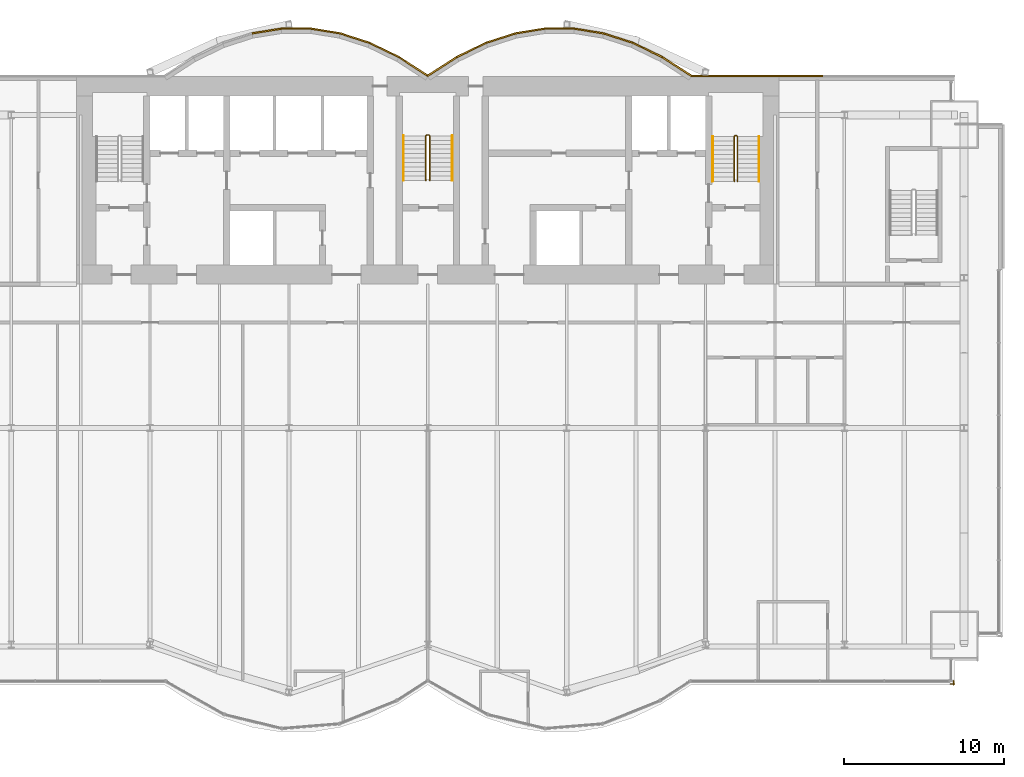
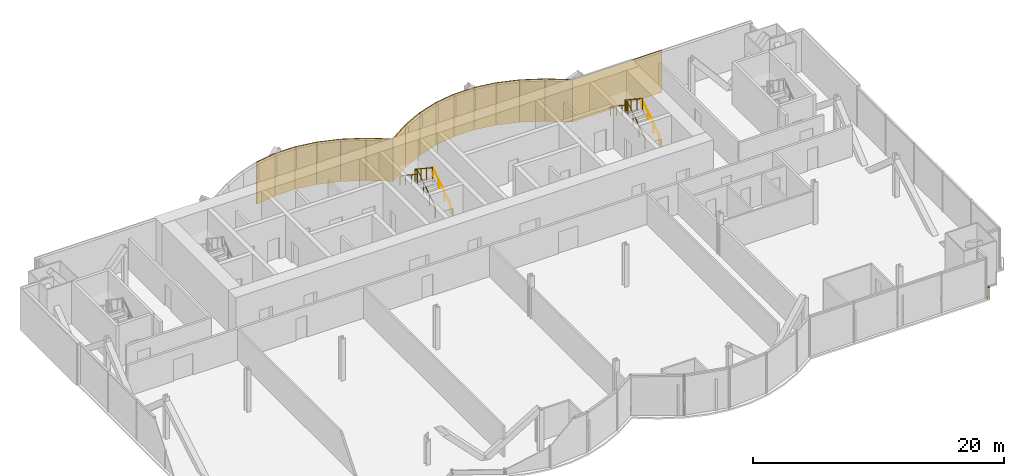
# One storey, part 20 of 21: 16 coverings, 7 railings.
"""IFC4 building model written with IfcOpenShell, lengths in metres."""

from ifc_helpers import new_model, si_unit, direction, frame, origin, origin_2d, place, context, subcontext, project, spatial, rectangle, circle, extrude, material, layer, layer_set, type_object, element, save


model = new_model("IFC4")

# Units and contexts
model_context = context("Model", 3, precision=1e-05, world=origin(), true_north=direction((0.0, 1.0)))
body_context = subcontext(model_context, "Body", "Model", "MODEL_VIEW")
ifc_project = project(units=[si_unit("LENGTHUNIT", "METRE"), si_unit("AREAUNIT", "SQUARE_METRE"), si_unit("VOLUMEUNIT", "CUBIC_METRE"), si_unit("PLANEANGLEUNIT", "RADIAN"), si_unit("MASSUNIT", "GRAM", prefix="KILO")], contexts=[model_context])

# Site, building, storey
site_placement = place(None, origin())
site = spatial("IfcSite", under=ifc_project, at=site_placement, CompositionType="ELEMENT")
building_placement = place(site_placement, origin())
building = spatial("IfcBuilding", under=site, at=building_placement, Name="Bicima Exchange Tower", CompositionType="ELEMENT")
storey_placement = place(building_placement, frame((0.0, 0.0, 106.300048828125)))
storey = spatial("IfcBuildingStorey", under=building, at=storey_placement, Name="L22", CompositionType="ELEMENT", Elevation=106.300048828125)

# Coverings
ifc_material_1 = material(Name="Bronze metal cladding")
ifc_layer_1 = layer(ifc_material_1, 0.004)
ifc_material_2 = material(Name="Ventilated cavity")
ifc_layer_2 = layer(ifc_material_2, 0.06)
ifc_material_3 = material(Name="Galvanised steel rail and mineral wool", Category="steel")
ifc_layer_3 = layer(ifc_material_3, 0.036)
ifc_layer_set = layer_set([ifc_layer_1, ifc_layer_2, ifc_layer_3], Name="Ventilated cavity")
covering_type = type_object("IfcCoveringType", Name="Bronze metal cladding panel 100", PredefinedType="CLADDING", material=ifc_layer_set)
covering_1_placement = place(storey_placement, frame((20.625, 0.050048828125, -0.150146484375), z_axis=(0.0, 0.0, 1.0), x_axis=(-1.0, 0.0, 0.0)))
element("IfcCovering", 1, at=covering_1_placement, inside=storey, type_object=covering_type, Name="Bronze cladding L22 1.2", PredefinedType="CLADDING", context=body_context, shape_type="SweptSolid", body=[
    extrude(rectangle(XDim=8.25, YDim=0.10009765625, at=origin_2d()), origin(), (0.0, 0.0, 1.0), 4.10009765625),
])
covering_2_placement = place(storey_placement, frame((15.610595703125, 0.634521484375, -0.150146484375), z_axis=(0.0, 0.0, 1.0), x_axis=(-0.839790466384, 0.542910648791, 0.0)))
element("IfcCovering", 2, at=covering_2_placement, inside=storey, type_object=covering_type, Name="Bronze cladding L22 2.1", PredefinedType="CLADDING", context=body_context, shape_type="SweptSolid", body=[
    extrude(rectangle(XDim=2.18310546875, YDim=0.10009765625, at=origin_2d()), origin(), (0.0, 0.0, 1.0), 4.10009765625),
])
covering_3_placement = place(storey_placement, frame((13.771728515625, 1.674560546875, -0.150146484375), z_axis=(0.0, 0.0, 1.0), x_axis=(-0.899818346812, 0.436264762204, 0.0)))
element("IfcCovering", 3, at=covering_3_placement, inside=storey, type_object=covering_type, Name="Bronze cladding L22 3.1", PredefinedType="CLADDING", context=body_context, shape_type="SweptSolid", body=[
    extrude(rectangle(XDim=2.03759765625, YDim=0.10009765625, at=origin_2d()), origin(), (0.0, 0.0, 1.0), 4.10009765625),
])
covering_4_placement = place(storey_placement, frame((11.931884765625, 2.41796875, -0.150146484375), z_axis=(0.0, 0.0, 1.0), x_axis=(-0.951524642381, 0.307572519808, 0.0)))
element("IfcCovering", 4, at=covering_4_placement, inside=storey, type_object=covering_type, Name="Bronze cladding L22 4.1", PredefinedType="CLADDING", context=body_context, shape_type="SweptSolid", body=[
    extrude(rectangle(XDim=1.9267578125, YDim=0.10009765625, at=origin_2d()), origin(), (0.0, 0.0, 1.0), 4.10009765625),
])
covering_5_placement = place(storey_placement, frame((10.09130859375, 2.8642578125, -0.150146484375), z_axis=(0.0, 0.0, 1.0), x_axis=(-0.987189786347, 0.159550386184, 0.0)))
element("IfcCovering", 5, at=covering_5_placement, inside=storey, type_object=covering_type, Name="Bronze cladding L22 5.1", PredefinedType="CLADDING", context=body_context, shape_type="SweptSolid", body=[
    extrude(rectangle(XDim=1.857177734375, YDim=0.10009765625, at=origin_2d()), origin(), (0.0, 0.0, 1.0), 4.10009765625),
])
covering_6_placement = place(storey_placement, frame((8.25, 3.012939453125, -0.150146484375), z_axis=(0.0, 0.0, 1.0), x_axis=(-1.0, 0.0, 0.0)))
element("IfcCovering", 6, at=covering_6_placement, inside=storey, type_object=covering_type, Name="Bronze cladding L22 6.1", PredefinedType="CLADDING", context=body_context, shape_type="SweptSolid", body=[
    extrude(rectangle(XDim=1.83349609375, YDim=0.10009765625, at=origin_2d()), origin(), (0.0, 0.0, 1.0), 4.10009765625),
])
covering_7_placement = place(storey_placement, frame((6.40869140625, 2.8642578125, -0.150146484375), z_axis=(0.0, 0.0, 1.0), x_axis=(-0.987189786347, -0.159550386184, 0.0)))
element("IfcCovering", 7, at=covering_7_placement, inside=storey, type_object=covering_type, Name="Bronze cladding L22 7.1", PredefinedType="CLADDING", context=body_context, shape_type="SweptSolid", body=[
    extrude(rectangle(XDim=1.857177734375, YDim=0.10009765625, at=origin_2d()), origin(), (0.0, 0.0, 1.0), 4.10009765625),
])
covering_8_placement = place(storey_placement, frame((4.568115234375, 2.41796875, -0.150146484375), z_axis=(0.0, 0.0, 1.0), x_axis=(-0.951524642381, -0.307572519808, 0.0)))
element("IfcCovering", 8, at=covering_8_placement, inside=storey, type_object=covering_type, Name="Bronze cladding L22 8.1", PredefinedType="CLADDING", context=body_context, shape_type="SweptSolid", body=[
    extrude(rectangle(XDim=1.9267578125, YDim=0.10009765625, at=origin_2d()), origin(), (0.0, 0.0, 1.0), 4.10009765625),
])
covering_9_placement = place(storey_placement, frame((2.728271484375, 1.674560546875, -0.150146484375), z_axis=(0.0, 0.0, 1.0), x_axis=(-0.899818346812, -0.436264762204, 0.0)))
element("IfcCovering", 9, at=covering_9_placement, inside=storey, type_object=covering_type, Name="Bronze cladding L22 9.1", PredefinedType="CLADDING", context=body_context, shape_type="SweptSolid", body=[
    extrude(rectangle(XDim=2.03759765625, YDim=0.10009765625, at=origin_2d()), origin(), (0.0, 0.0, 1.0), 4.10009765625),
])
for number, where, z_axis, x_axis, name in (
    (10, (0.889404296875, 0.634521484375, -0.150146484375), (0.0, 0.0, 1.0), (-0.839790466384, -0.542910648791, 0.0), "Bronze cladding L22 10.1"),
    (11, (-0.889404296875, 0.634521484375, -0.150146484375), (0.0, 0.0, 1.0), (-0.839790466384, 0.542910648791, 0.0), "Bronze cladding L22 11.1"),
):
    element("IfcCovering", number, at=place(storey_placement, frame(where, z_axis=z_axis, x_axis=x_axis)), inside=storey, type_object=covering_type, Name=name, PredefinedType="CLADDING", context=body_context, shape_type="SweptSolid", body=[
        extrude(rectangle(XDim=2.18310546875, YDim=0.10009765625, at=origin_2d()), origin(), (0.0, 0.0, 1.0), 4.10009765625),
    ])
covering_10_placement = place(storey_placement, frame((-2.728271484375, 1.674560546875, -0.150146484375), z_axis=(0.0, 0.0, 1.0), x_axis=(-0.899818346812, 0.436264762204, 0.0)))
element("IfcCovering", 12, at=covering_10_placement, inside=storey, type_object=covering_type, Name="Bronze cladding L22 12.1", PredefinedType="CLADDING", context=body_context, shape_type="SweptSolid", body=[
    extrude(rectangle(XDim=2.03759765625, YDim=0.10009765625, at=origin_2d()), origin(), (0.0, 0.0, 1.0), 4.10009765625),
])
covering_11_placement = place(storey_placement, frame((-4.568115234375, 2.41796875, -0.150146484375), z_axis=(0.0, 0.0, 1.0), x_axis=(-0.951524642381, 0.307572519808, 0.0)))
element("IfcCovering", 13, at=covering_11_placement, inside=storey, type_object=covering_type, Name="Bronze cladding L22 13.1", PredefinedType="CLADDING", context=body_context, shape_type="SweptSolid", body=[
    extrude(rectangle(XDim=1.9267578125, YDim=0.10009765625, at=origin_2d()), origin(), (0.0, 0.0, 1.0), 4.10009765625),
])
covering_12_placement = place(storey_placement, frame((-6.40869140625, 2.8642578125, -0.150146484375), z_axis=(0.0, 0.0, 1.0), x_axis=(-0.987189786347, 0.159550386184, 0.0)))
element("IfcCovering", 14, at=covering_12_placement, inside=storey, type_object=covering_type, Name="Bronze cladding L22 14.1", PredefinedType="CLADDING", context=body_context, shape_type="SweptSolid", body=[
    extrude(rectangle(XDim=1.857177734375, YDim=0.10009765625, at=origin_2d()), origin(), (0.0, 0.0, 1.0), 4.10009765625),
])
covering_13_placement = place(storey_placement, frame((-8.25, 3.012939453125, -0.150146484375), z_axis=(0.0, 0.0, 1.0), x_axis=(-1.0, 0.0, 0.0)))
element("IfcCovering", 15, at=covering_13_placement, inside=storey, type_object=covering_type, Name="Bronze cladding L22 15.1", PredefinedType="CLADDING", context=body_context, shape_type="SweptSolid", body=[
    extrude(rectangle(XDim=1.83349609375, YDim=0.10009765625, at=origin_2d()), origin(), (0.0, 0.0, 1.0), 4.10009765625),
])
covering_14_placement = place(storey_placement, frame((-10.09130859375, 2.8642578125, -0.150146484375), z_axis=(0.0, 0.0, 1.0), x_axis=(-0.987189786347, -0.159550386184, 0.0)))
element("IfcCovering", 16, at=covering_14_placement, inside=storey, type_object=covering_type, Name="Bronze cladding L22 16.1", PredefinedType="CLADDING", context=body_context, shape_type="SweptSolid", body=[
    extrude(rectangle(XDim=1.857177734375, YDim=0.10009765625, at=origin_2d()), origin(), (0.0, 0.0, 1.0), 4.10009765625),
])

# Railings
ifc_material_4 = material(Name="Stainless steel and bonded safety glass", Category="steel")
railing_type_1 = type_object("IfcRailingType", Name="Edge guard 1100", PredefinedType="GUARDRAIL", material=ifc_material_4)
railing_1_placement = place(storey_placement, frame((32.949951171875, -37.845947265625, 0.0)))
element("IfcRailing", 17, at=railing_1_placement, inside=storey, type_object=railing_type_1, Name="Edge guard L22 106", PredefinedType="GUARDRAIL", context=body_context, shape_type="SweptSolid", body=[
    extrude(circle(Radius=0.02392578125, at=origin_2d()), frame((0.0, 0.0, 1.076171875), z_axis=(0.0, -1.0, 0.0), x_axis=(1.0, 0.0, 0.0)), (0.0, 0.0, 1.0), 0.25),
    extrude(circle(Radius=0.02392578125, at=origin_2d()), frame((0.0, -0.25, 1.076171875), z_axis=(0.707106781187, 0.707106781187, 0.0), x_axis=(-0.707106781187, 0.707106781187, 0.0)), (0.0, 0.0, 1.0), 0.07080078125),
    extrude(circle(Radius=0.02392578125, at=origin_2d()), frame((0.050048828125, -0.199951171875, 1.076171875), z_axis=(-1.0, 0.0, 0.0), x_axis=(0.0, -1.0, 0.0)), (0.0, 0.0, 1.0), 0.25),
    extrude(circle(Radius=0.02099609375, at=origin_2d()), origin(), (0.0, 0.0, 1.0), 1.052001953125),
    extrude(circle(Radius=0.02099609375, at=origin_2d()), frame((0.0, -0.25, 0.0)), (0.0, 0.0, 1.0), 1.052001953125),
    extrude(circle(Radius=0.02099609375, at=origin_2d()), frame((0.050048828125, -0.199951171875, 0.0)), (0.0, 0.0, 1.0), 1.052001953125),
    extrude(circle(Radius=0.02099609375, at=origin_2d()), frame((-0.199951171875, -0.199951171875, 0.0)), (0.0, 0.0, 1.0), 1.052001953125),
])
ifc_material_5 = material(Name="Stainless steel", Category="steel")
railing_type_2 = type_object("IfcRailingType", Name="Stair guard 1100", PredefinedType="GUARDRAIL", material=ifc_material_5)
railing_2_placement = place(storey_placement, frame((0.125, -6.5, 0.186279296875)))
element("IfcRailing", 18, at=railing_2_placement, inside=storey, type_object=railing_type_2, Name="L22 ST-C stair guard 1", PredefinedType="GUARDRAIL", context=body_context, shape_type="SweptSolid", body=[
    extrude(circle(Radius=0.02392578125, at=origin_2d()), frame((0.0, 0.0, 1.076171875), z_axis=(0.0, 0.832452072856, 0.554097055034), x_axis=(-1.0, 0.0, 0.0)), (0.0, 0.0, 1.0), 3.363525390625),
    extrude(circle(Radius=0.02392578125, at=origin_2d()), frame((0.0, 2.800048828125, 2.93994140625), z_axis=(-0.707106781187, 0.707106781187, 0.0), x_axis=(-0.707106781187, -0.707106781187, 0.0)), (0.0, 0.0, 1.0), 0.07080078125),
    extrude(circle(Radius=0.02392578125, at=origin_2d()), frame((-0.050048828125, 2.85009765625, 2.93994140625), z_axis=(-1.0, 0.0, 0.0), x_axis=(0.0, -1.0, 0.0)), (0.0, 0.0, 1.0), 0.14990234375),
    extrude(circle(Radius=0.02392578125, at=origin_2d()), frame((-0.199951171875, 2.85009765625, 2.93994140625), z_axis=(-0.251157038772, -0.251157038772, 0.934794246747), x_axis=(0.707106781187, -0.707106781187, 0.0)), (0.0, 0.0, 1.0), 0.19921875),
    extrude(circle(Radius=0.02392578125, at=origin_2d()), frame((-0.25, 2.800048828125, 3.1259765625), z_axis=(0.0, -0.832485552168, 0.554046753832), x_axis=(1.0, 0.0, 0.0)), (0.0, 0.0, 1.0), 3.363525390625),
    extrude(circle(Radius=0.02099609375, at=origin_2d()), origin(), (0.0, 0.0, 1.0), 1.052001953125),
    extrude(circle(Radius=0.02099609375, at=origin_2d()), frame((0.0, 0.933349609375, 0.621337890625)), (0.0, 0.0, 1.0), 1.052001953125),
    extrude(circle(Radius=0.02099609375, at=origin_2d()), frame((0.0, 1.86669921875, 1.242431640625)), (0.0, 0.0, 1.0), 1.052001953125),
    extrude(circle(Radius=0.02099609375, at=origin_2d()), frame((0.0, 2.800048828125, 1.86376953125)), (0.0, 0.0, 1.0), 1.052001953125),
    extrude(circle(Radius=0.02099609375, at=origin_2d()), frame((-0.050048828125, 2.85009765625, 1.86376953125)), (0.0, 0.0, 1.0), 1.052001953125),
    extrude(circle(Radius=0.02099609375, at=origin_2d()), frame((-0.199951171875, 2.85009765625, 1.86376953125)), (0.0, 0.0, 1.0), 1.052001953125),
    extrude(circle(Radius=0.02099609375, at=origin_2d()), frame((-0.25, 2.800048828125, 2.050048828125)), (0.0, 0.0, 1.0), 1.052001953125),
    extrude(circle(Radius=0.02099609375, at=origin_2d()), frame((-0.25, 1.86669921875, 2.671142578125)), (0.0, 0.0, 1.0), 1.052001953125),
    extrude(circle(Radius=0.02099609375, at=origin_2d()), frame((-0.25, 0.933349609375, 3.29248046875)), (0.0, 0.0, 1.0), 1.052001953125),
    extrude(circle(Radius=0.02099609375, at=origin_2d()), frame((-0.25, 0.0, 3.91357421875)), (0.0, 0.0, 1.0), 1.052001953125),
])
railing_3_placement = place(storey_placement, frame((19.39990234375, -6.550048828125, 0.186279296875)))
element("IfcRailing", 19, at=railing_3_placement, inside=storey, type_object=railing_type_2, Name="L22 ST-E stair guard 1", PredefinedType="GUARDRAIL", context=body_context, shape_type="SweptSolid", body=[
    extrude(circle(Radius=0.02392578125, at=origin_2d()), frame((0.0, 0.0, 1.076171875), z_axis=(0.0, 0.832452072856, 0.554097055034), x_axis=(-1.0, 0.0, 0.0)), (0.0, 0.0, 1.0), 3.363525390625),
    extrude(circle(Radius=0.02392578125, at=origin_2d()), frame((0.0, 2.800048828125, 2.93994140625), z_axis=(-0.705375805398, 0.708833529934, 0.0), x_axis=(-0.708833529934, -0.705375805398, 0.0)), (0.0, 0.0, 1.0), 0.070556640625),
    extrude(circle(Radius=0.02392578125, at=origin_2d()), frame((-0.0498046875, 2.85009765625, 2.93994140625), z_axis=(-1.0, 0.0, 0.0), x_axis=(0.0, -1.0, 0.0)), (0.0, 0.0, 1.0), 0.10009765625),
    extrude(circle(Radius=0.02392578125, at=origin_2d()), frame((-0.14990234375, 2.85009765625, 2.93994140625), z_axis=(-0.251157038772, -0.251157038772, 0.934794246747), x_axis=(0.707106781187, -0.707106781187, 0.0)), (0.0, 0.0, 1.0), 0.19921875),
    extrude(circle(Radius=0.02392578125, at=origin_2d()), frame((-0.199951171875, 2.800048828125, 3.1259765625), z_axis=(0.0, -0.832485552168, 0.554046753832), x_axis=(1.0, 0.0, 0.0)), (0.0, 0.0, 1.0), 3.363525390625),
    extrude(circle(Radius=0.02099609375, at=origin_2d()), origin(), (0.0, 0.0, 1.0), 1.052001953125),
    extrude(circle(Radius=0.02099609375, at=origin_2d()), frame((0.0, 0.933349609375, 0.621337890625)), (0.0, 0.0, 1.0), 1.052001953125),
    extrude(circle(Radius=0.02099609375, at=origin_2d()), frame((0.0, 1.86669921875, 1.242431640625)), (0.0, 0.0, 1.0), 1.052001953125),
    extrude(circle(Radius=0.02099609375, at=origin_2d()), frame((0.0, 2.800048828125, 1.86376953125)), (0.0, 0.0, 1.0), 1.052001953125),
    extrude(circle(Radius=0.02099609375, at=origin_2d()), frame((-0.0498046875, 2.85009765625, 1.86376953125)), (0.0, 0.0, 1.0), 1.052001953125),
    extrude(circle(Radius=0.02099609375, at=origin_2d()), frame((-0.14990234375, 2.85009765625, 1.86376953125)), (0.0, 0.0, 1.0), 1.052001953125),
    extrude(circle(Radius=0.02099609375, at=origin_2d()), frame((-0.199951171875, 2.800048828125, 2.050048828125)), (0.0, 0.0, 1.0), 1.052001953125),
    extrude(circle(Radius=0.02099609375, at=origin_2d()), frame((-0.199951171875, 1.86669921875, 2.671142578125)), (0.0, 0.0, 1.0), 1.052001953125),
    extrude(circle(Radius=0.02099609375, at=origin_2d()), frame((-0.199951171875, 0.933349609375, 3.29248046875)), (0.0, 0.0, 1.0), 1.052001953125),
    extrude(circle(Radius=0.02099609375, at=origin_2d()), frame((-0.199951171875, 0.0, 3.91357421875)), (0.0, 0.0, 1.0), 1.052001953125),
])
railing_type_3 = type_object("IfcRailingType", Name="Stair handrail 900", PredefinedType="HANDRAIL", material=ifc_material_5)
railing_4_placement = place(storey_placement, frame((1.52490234375, -6.5, 0.186279296875)))
element("IfcRailing", 20, at=railing_4_placement, inside=storey, type_object=railing_type_3, Name="L22 ST-C stair handrail 1", PredefinedType="HANDRAIL", context=body_context, shape_type="SweptSolid", body=[
    extrude(circle(Radius=0.02392578125, at=origin_2d()), frame((0.0, 0.0, 0.8759765625), z_axis=(0.0, 0.832452072856, 0.554097055034), x_axis=(-1.0, 0.0, 0.0)), (0.0, 0.0, 1.0), 3.363525390625),
    extrude(circle(Radius=0.02099609375, at=origin_2d()), origin(), (0.0, 0.0, 1.0), 0.851806640625),
    extrude(circle(Radius=0.02099609375, at=origin_2d()), frame((0.0, 0.933349609375, 0.621337890625)), (0.0, 0.0, 1.0), 0.851806640625),
    extrude(circle(Radius=0.02099609375, at=origin_2d()), frame((0.0, 1.86669921875, 1.242431640625)), (0.0, 0.0, 1.0), 0.851806640625),
    extrude(circle(Radius=0.02099609375, at=origin_2d()), frame((0.0, 2.800048828125, 1.86376953125)), (0.0, 0.0, 1.0), 0.851806640625),
])
railing_5_placement = place(storey_placement, frame((-1.52490234375, -3.699951171875, 2.276611328125)))
element("IfcRailing", 21, at=railing_5_placement, inside=storey, type_object=railing_type_3, Name="L22 ST-C stair handrail 2", PredefinedType="HANDRAIL", context=body_context, shape_type="SweptSolid", body=[
    extrude(circle(Radius=0.02392578125, at=origin_2d()), frame((0.0, 0.0, 0.8759765625), z_axis=(0.0, -0.832452072856, 0.554097055034), x_axis=(1.0, 0.0, 0.0)), (0.0, 0.0, 1.0), 3.363525390625),
    extrude(circle(Radius=0.02099609375, at=origin_2d()), origin(), (0.0, 0.0, 1.0), 0.851806640625),
    extrude(circle(Radius=0.02099609375, at=origin_2d()), frame((0.0, -0.933349609375, 0.621337890625)), (0.0, 0.0, 1.0), 0.851806640625),
    extrude(circle(Radius=0.02099609375, at=origin_2d()), frame((0.0, -1.86669921875, 1.242431640625)), (0.0, 0.0, 1.0), 0.851806640625),
    extrude(circle(Radius=0.02099609375, at=origin_2d()), frame((0.0, -2.800048828125, 1.86376953125)), (0.0, 0.0, 1.0), 0.851806640625),
])
railing_6_placement = place(storey_placement, frame((20.75, -6.550048828125, 0.186279296875)))
element("IfcRailing", 22, at=railing_6_placement, inside=storey, type_object=railing_type_3, Name="L22 ST-E stair handrail 1", PredefinedType="HANDRAIL", context=body_context, shape_type="SweptSolid", body=[
    extrude(circle(Radius=0.02392578125, at=origin_2d()), frame((0.0, 0.0, 0.8759765625), z_axis=(0.0, 0.832452072856, 0.554097055034), x_axis=(-1.0, 0.0, 0.0)), (0.0, 0.0, 1.0), 3.363525390625),
    extrude(circle(Radius=0.02099609375, at=origin_2d()), origin(), (0.0, 0.0, 1.0), 0.851806640625),
    extrude(circle(Radius=0.02099609375, at=origin_2d()), frame((0.0, 0.933349609375, 0.621337890625)), (0.0, 0.0, 1.0), 0.851806640625),
    extrude(circle(Radius=0.02099609375, at=origin_2d()), frame((0.0, 1.86669921875, 1.242431640625)), (0.0, 0.0, 1.0), 0.851806640625),
    extrude(circle(Radius=0.02099609375, at=origin_2d()), frame((0.0, 2.800048828125, 1.86376953125)), (0.0, 0.0, 1.0), 0.851806640625),
])
railing_7_placement = place(storey_placement, frame((17.85009765625, -3.75, 2.276611328125)))
element("IfcRailing", 23, at=railing_7_placement, inside=storey, type_object=railing_type_3, Name="L22 ST-E stair handrail 2", PredefinedType="HANDRAIL", context=body_context, shape_type="SweptSolid", body=[
    extrude(circle(Radius=0.02392578125, at=origin_2d()), frame((0.0, 0.0, 0.8759765625), z_axis=(0.0, -0.832452072856, 0.554097055034), x_axis=(1.0, 0.0, 0.0)), (0.0, 0.0, 1.0), 3.363525390625),
    extrude(circle(Radius=0.02099609375, at=origin_2d()), origin(), (0.0, 0.0, 1.0), 0.851806640625),
    extrude(circle(Radius=0.02099609375, at=origin_2d()), frame((0.0, -0.933349609375, 0.621337890625)), (0.0, 0.0, 1.0), 0.851806640625),
    extrude(circle(Radius=0.02099609375, at=origin_2d()), frame((0.0, -1.86669921875, 1.242431640625)), (0.0, 0.0, 1.0), 0.851806640625),
    extrude(circle(Radius=0.02099609375, at=origin_2d()), frame((0.0, -2.800048828125, 1.86376953125)), (0.0, 0.0, 1.0), 0.851806640625),
])

save(model, "model.ifc")
